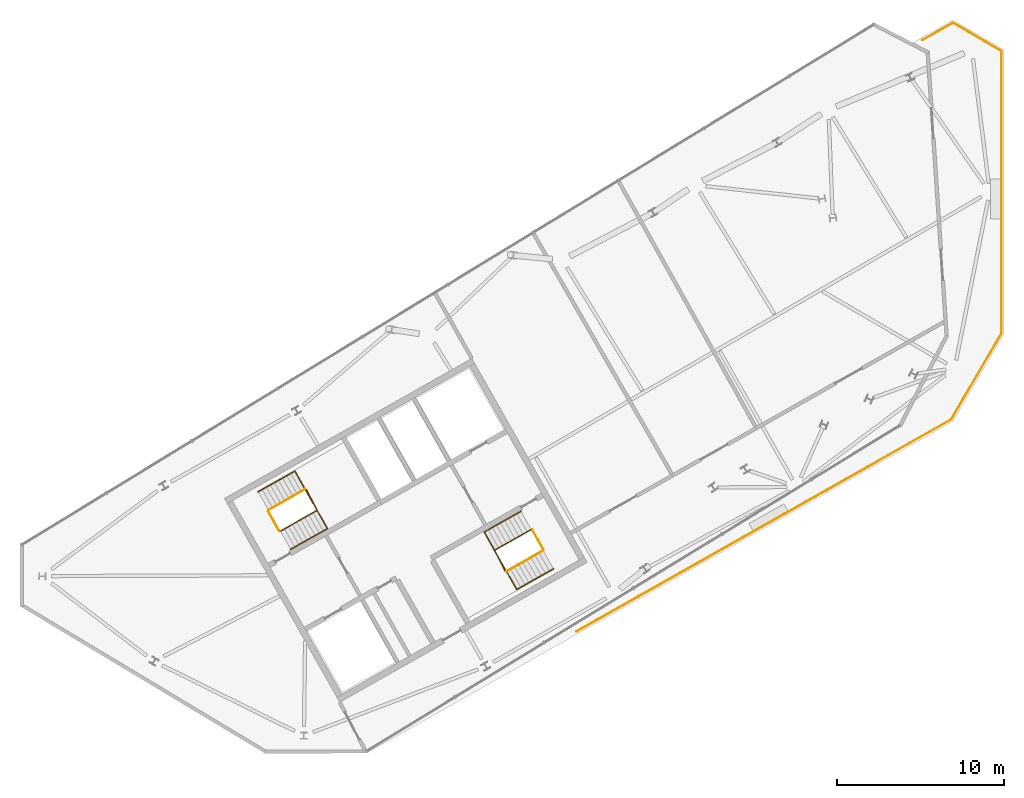
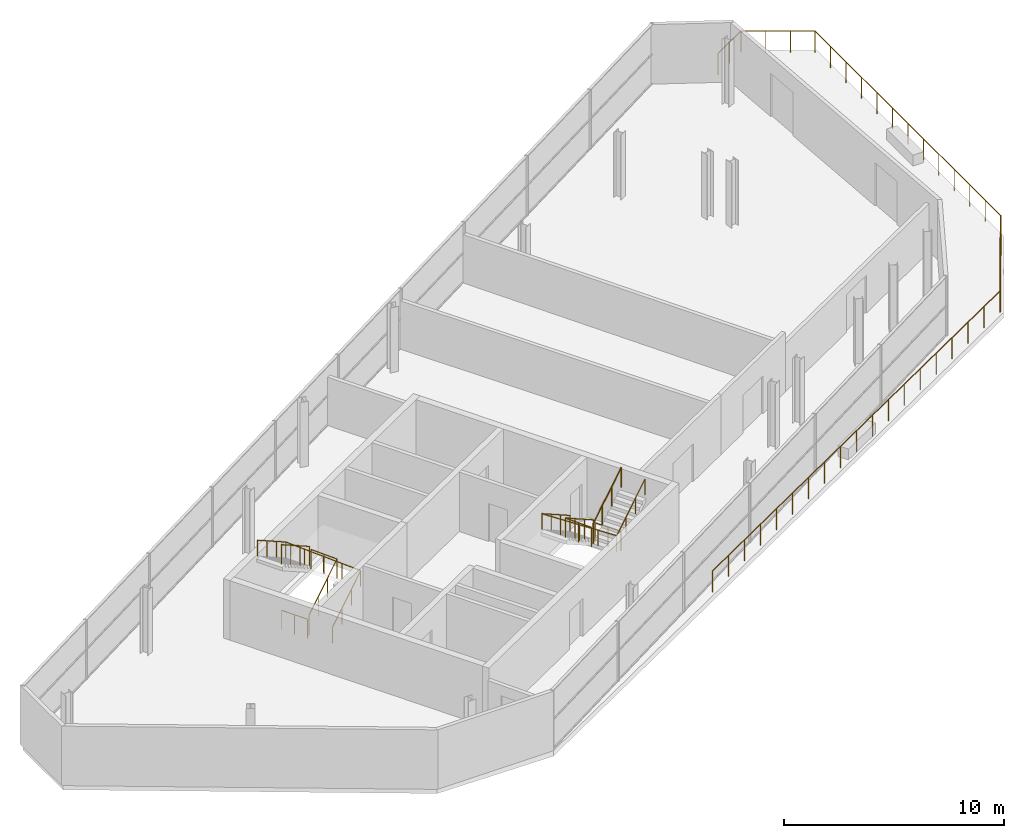
# One storey, part 9 of 10: 12 railings.
"""IFC4 building model written with IfcOpenShell, lengths in metres."""

from ifc_helpers import new_model, si_unit, direction, frame, origin, origin_2d, place, context, subcontext, project, spatial, circle, extrude, material, type_object, element, save


model = new_model("IFC4")

# Units and contexts
model_context = context("Model", 3, precision=1e-05, world=origin(), true_north=direction((0.0, 1.0)))
body_context = subcontext(model_context, "Body", "Model", "MODEL_VIEW")
ifc_project = project(units=[si_unit("LENGTHUNIT", "METRE"), si_unit("AREAUNIT", "SQUARE_METRE"), si_unit("VOLUMEUNIT", "CUBIC_METRE"), si_unit("PLANEANGLEUNIT", "RADIAN"), si_unit("MASSUNIT", "GRAM", prefix="KILO")], contexts=[model_context])

# Site, building, storey
site_placement = place(None, origin())
site = spatial("IfcSite", under=ifc_project, at=site_placement, CompositionType="ELEMENT")
building_placement = place(site_placement, origin())
building = spatial("IfcBuilding", under=site, at=building_placement, Name="Binnacle Exchange Tower", CompositionType="ELEMENT")
storey_placement = place(building_placement, frame((0.0, 0.0, 346.89990234375)))
storey = spatial("IfcBuildingStorey", under=building, at=storey_placement, Name="L79", CompositionType="ELEMENT", Elevation=346.89990234375)

# Railings
ifc_material_1 = material(Name="Bronze anodised aluminium frame", Category="aluminium")
railing_type_1 = type_object("IfcRailingType", Name="GUARD 1200", PredefinedType="GUARDRAIL", material=ifc_material_1)
railing_1_placement = place(storey_placement, frame((-25.549072265625, 33.71728515625, 0.0)))
element("IfcRailing", 1, at=railing_1_placement, inside=storey, type_object=railing_type_1, Name="Terrace guard 1 Terrace C1", PredefinedType="GUARDRAIL", context=body_context, shape_type="SweptSolid", body=[
    extrude(circle(Radius=0.02392578125, at=origin_2d()), frame((0.0, 0.0, 1.17578125), z_axis=(0.870351394534, 0.492431162735, 0.0), x_axis=(-0.492431162735, 0.870351394534, 0.0)), (0.0, 0.0, 1.0), 25.729248046875),
    extrude(circle(Radius=0.02099609375, at=origin_2d()), origin(), (0.0, 0.0, 1.0), 1.15185546875),
    extrude(circle(Radius=0.02099609375, at=origin_2d()), frame((1.244140625, 0.703857421875, 0.0)), (0.0, 0.0, 1.0), 1.15185546875),
    extrude(circle(Radius=0.02099609375, at=origin_2d()), frame((2.48828125, 1.40771484375, 0.0)), (0.0, 0.0, 1.0), 1.15185546875),
    extrude(circle(Radius=0.02099609375, at=origin_2d()), frame((3.732177734375, 2.111572265625, 0.0)), (0.0, 0.0, 1.0), 1.15185546875),
    extrude(circle(Radius=0.02099609375, at=origin_2d()), frame((4.976318359375, 2.8154296875, 0.0)), (0.0, 0.0, 1.0), 1.15185546875),
    extrude(circle(Radius=0.02099609375, at=origin_2d()), frame((6.220458984375, 3.51953125, 0.0)), (0.0, 0.0, 1.0), 1.15185546875),
    extrude(circle(Radius=0.02099609375, at=origin_2d()), frame((7.464599609375, 4.223388671875, 0.0)), (0.0, 0.0, 1.0), 1.15185546875),
    extrude(circle(Radius=0.02099609375, at=origin_2d()), frame((8.70849609375, 4.92724609375, 0.0)), (0.0, 0.0, 1.0), 1.15185546875),
    extrude(circle(Radius=0.02099609375, at=origin_2d()), frame((9.95263671875, 5.631103515625, 0.0)), (0.0, 0.0, 1.0), 1.15185546875),
    extrude(circle(Radius=0.02099609375, at=origin_2d()), frame((11.19677734375, 6.3349609375, 0.0)), (0.0, 0.0, 1.0), 1.15185546875),
    extrude(circle(Radius=0.02099609375, at=origin_2d()), frame((12.44091796875, 7.038818359375, 0.0)), (0.0, 0.0, 1.0), 1.15185546875),
    extrude(circle(Radius=0.02099609375, at=origin_2d()), frame((13.68505859375, 7.74267578125, 0.0)), (0.0, 0.0, 1.0), 1.15185546875),
    extrude(circle(Radius=0.02099609375, at=origin_2d()), frame((14.928955078125, 8.446533203125, 0.0)), (0.0, 0.0, 1.0), 1.15185546875),
    extrude(circle(Radius=0.02099609375, at=origin_2d()), frame((16.173095703125, 9.150390625, 0.0)), (0.0, 0.0, 1.0), 1.15185546875),
    extrude(circle(Radius=0.02099609375, at=origin_2d()), frame((17.417236328125, 9.8544921875, 0.0)), (0.0, 0.0, 1.0), 1.15185546875),
    extrude(circle(Radius=0.02099609375, at=origin_2d()), frame((18.661376953125, 10.558349609375, 0.0)), (0.0, 0.0, 1.0), 1.15185546875),
    extrude(circle(Radius=0.02099609375, at=origin_2d()), frame((19.9052734375, 11.26220703125, 0.0)), (0.0, 0.0, 1.0), 1.15185546875),
    extrude(circle(Radius=0.02099609375, at=origin_2d()), frame((21.1494140625, 11.966064453125, 0.0)), (0.0, 0.0, 1.0), 1.15185546875),
    extrude(circle(Radius=0.02099609375, at=origin_2d()), frame((22.3935546875, 12.669921875, 0.0)), (0.0, 0.0, 1.0), 1.15185546875),
])
railing_2_placement = place(storey_placement, frame((-3.155517578125, 46.38720703125, 0.0)))
element("IfcRailing", 2, at=railing_2_placement, inside=storey, type_object=railing_type_1, Name="Terrace guard 2 Terrace C1", PredefinedType="GUARDRAIL", context=body_context, shape_type="SweptSolid", body=[
    extrude(circle(Radius=0.02392578125, at=origin_2d()), frame((0.0, 0.0, 1.17578125), z_axis=(0.503809956982, 0.863814521321, 0.0), x_axis=(-0.863814521321, 0.503809956982, 0.0)), (0.0, 0.0, 1.0), 5.9658203125),
    extrude(circle(Radius=0.02099609375, at=origin_2d()), origin(), (0.0, 0.0, 1.0), 1.15185546875),
    extrude(circle(Radius=0.02099609375, at=origin_2d()), frame((0.75146484375, 1.288330078125, 0.0)), (0.0, 0.0, 1.0), 1.15185546875),
    extrude(circle(Radius=0.02099609375, at=origin_2d()), frame((1.5029296875, 2.57666015625, 0.0)), (0.0, 0.0, 1.0), 1.15185546875),
    extrude(circle(Radius=0.02099609375, at=origin_2d()), frame((2.254150390625, 3.864990234375, 0.0)), (0.0, 0.0, 1.0), 1.15185546875),
    extrude(circle(Radius=0.02099609375, at=origin_2d()), frame((3.005615234375, 5.1533203125, 0.0)), (0.0, 0.0, 1.0), 1.15185546875),
])
railing_3_placement = place(storey_placement, frame((-0.14990234375, 51.54052734375, 0.0)))
element("IfcRailing", 3, at=railing_3_placement, inside=storey, type_object=railing_type_1, Name="Terrace guard 3 Terrace C1", PredefinedType="GUARDRAIL", context=body_context, shape_type="SweptSolid", body=[
    extrude(circle(Radius=0.02392578125, at=origin_2d()), frame((0.0, 0.0, 1.17578125), z_axis=(0.0, 1.0, 0.0), x_axis=(-1.0, 0.0, 0.0)), (0.0, 0.0, 1.0), 16.873291015625),
    extrude(circle(Radius=0.02099609375, at=origin_2d()), origin(), (0.0, 0.0, 1.0), 1.15185546875),
    extrude(circle(Radius=0.02099609375, at=origin_2d()), frame((0.0, 1.406005859375, 0.0)), (0.0, 0.0, 1.0), 1.15185546875),
    extrude(circle(Radius=0.02099609375, at=origin_2d()), frame((0.0, 2.812255859375, 0.0)), (0.0, 0.0, 1.0), 1.15185546875),
    extrude(circle(Radius=0.02099609375, at=origin_2d()), frame((0.0, 4.21826171875, 0.0)), (0.0, 0.0, 1.0), 1.15185546875),
    extrude(circle(Radius=0.02099609375, at=origin_2d()), frame((0.0, 5.62451171875, 0.0)), (0.0, 0.0, 1.0), 1.15185546875),
    extrude(circle(Radius=0.02099609375, at=origin_2d()), frame((0.0, 7.030517578125, 0.0)), (0.0, 0.0, 1.0), 1.15185546875),
    extrude(circle(Radius=0.02099609375, at=origin_2d()), frame((0.0, 8.4365234375, 0.0)), (0.0, 0.0, 1.0), 1.15185546875),
    extrude(circle(Radius=0.02099609375, at=origin_2d()), frame((0.0, 9.8427734375, 0.0)), (0.0, 0.0, 1.0), 1.15185546875),
    extrude(circle(Radius=0.02099609375, at=origin_2d()), frame((0.0, 11.248779296875, 0.0)), (0.0, 0.0, 1.0), 1.15185546875),
    extrude(circle(Radius=0.02099609375, at=origin_2d()), frame((0.0, 12.655029296875, 0.0)), (0.0, 0.0, 1.0), 1.15185546875),
    extrude(circle(Radius=0.02099609375, at=origin_2d()), frame((0.0, 14.06103515625, 0.0)), (0.0, 0.0, 1.0), 1.15185546875),
    extrude(circle(Radius=0.02099609375, at=origin_2d()), frame((0.0, 15.46728515625, 0.0)), (0.0, 0.0, 1.0), 1.15185546875),
    extrude(circle(Radius=0.02099609375, at=origin_2d()), frame((0.0, 16.873291015625, 0.0)), (0.0, 0.0, 1.0), 1.15185546875),
])
railing_4_placement = place(storey_placement, frame((-0.14990234375, 68.413818359375, 0.0)))
element("IfcRailing", 4, at=railing_4_placement, inside=storey, type_object=railing_type_1, Name="Terrace guard 4 Terrace C1", PredefinedType="GUARDRAIL", context=body_context, shape_type="SweptSolid", body=[
    extrude(circle(Radius=0.02392578125, at=origin_2d()), frame((0.0, 0.0, 1.17578125), z_axis=(-0.863842253152, 0.503762405971, 0.0), x_axis=(-0.503762405971, -0.863842253152, 0.0)), (0.0, 0.0, 1.0), 3.354248046875),
    extrude(circle(Radius=0.02392578125, at=origin_2d()), frame((-2.8974609375, 1.689697265625, 1.17578125), z_axis=(-0.870334872128, -0.492460364251, 0.0), x_axis=(0.492460364251, -0.870334872128, 0.0)), (0.0, 0.0, 1.0), 2.0751953125),
    extrude(circle(Radius=0.02099609375, at=origin_2d()), origin(), (0.0, 0.0, 1.0), 1.15185546875),
    extrude(circle(Radius=0.02099609375, at=origin_2d()), frame((-0.9658203125, 0.563232421875, 0.0)), (0.0, 0.0, 1.0), 1.15185546875),
    extrude(circle(Radius=0.02099609375, at=origin_2d()), frame((-1.931640625, 1.12646484375, 0.0)), (0.0, 0.0, 1.0), 1.15185546875),
    extrude(circle(Radius=0.02099609375, at=origin_2d()), frame((-2.8974609375, 1.689697265625, 0.0)), (0.0, 0.0, 1.0), 1.15185546875),
    extrude(circle(Radius=0.02099609375, at=origin_2d()), frame((-3.800537109375, 1.1787109375, 0.0)), (0.0, 0.0, 1.0), 1.15185546875),
    extrude(circle(Radius=0.02099609375, at=origin_2d()), frame((-4.70361328125, 0.667724609375, 0.0)), (0.0, 0.0, 1.0), 1.15185546875),
])
ifc_material_2 = material(Name="Steel guard rail", Category="steel")
railing_type_2 = type_object("IfcRailingType", Name="STAIR GUARD 1100", PredefinedType="GUARDRAIL", material=ifc_material_2)
railing_5_placement = place(storey_placement, frame((-43.26171875, 39.71728515625, 0.18017578125)))
element("IfcRailing", 5, at=railing_5_placement, inside=storey, type_object=railing_type_2, Name="L79 STA1 stair guard 1", PredefinedType="GUARDRAIL", context=body_context, shape_type="SweptSolid", body=[
    extrude(circle(Radius=0.02392578125, at=origin_2d()), frame((0.0, 0.0, 1.076171875), z_axis=(0.73214499886, 0.414235644391, 0.540714833864), x_axis=(-0.492430705092, 0.870351653461, 0.0)), (0.0, 0.0, 1.0), 2.995849609375),
    extrude(circle(Radius=0.02392578125, at=origin_2d()), frame((2.193359375, 1.240966796875, 2.69580078125), z_axis=(-0.461100321709, 0.887348011391, 0.0), x_axis=(-0.887348011391, -0.461100321709, 0.0)), (0.0, 0.0, 1.0), 1.40087890625),
    extrude(circle(Radius=0.02099609375, at=origin_2d()), origin(), (0.0, 0.0, 1.0), 1.052001953125),
    extrude(circle(Radius=0.02099609375, at=origin_2d()), frame((0.731201171875, 0.41357421875, 0.5400390625)), (0.0, 0.0, 1.0), 1.052001953125),
    extrude(circle(Radius=0.02099609375, at=origin_2d()), frame((1.462158203125, 0.827392578125, 1.079833984375)), (0.0, 0.0, 1.0), 1.052001953125),
    extrude(circle(Radius=0.02099609375, at=origin_2d()), frame((2.193359375, 1.240966796875, 1.619873046875)), (0.0, 0.0, 1.0), 1.052001953125),
    extrude(circle(Radius=0.02099609375, at=origin_2d()), frame((1.870361328125, 1.862548828125, 1.619873046875)), (0.0, 0.0, 1.0), 1.052001953125),
    extrude(circle(Radius=0.02099609375, at=origin_2d()), frame((1.54736328125, 2.484130859375, 1.619873046875)), (0.0, 0.0, 1.0), 1.052001953125),
])
railing_6_placement = place(storey_placement, frame((-41.782470703125, 42.22021484375, 1.97998046875)))
element("IfcRailing", 6, at=railing_6_placement, inside=storey, type_object=railing_type_2, Name="L79 STA1 stair guard 2", PredefinedType="GUARDRAIL", context=body_context, shape_type="SweptSolid", body=[
    extrude(circle(Radius=0.02392578125, at=origin_2d()), frame((0.0, 0.0, 1.076171875), z_axis=(-0.732112736453, -0.41421739085, 0.540772497674), x_axis=(0.492430705092, -0.870351653461, 0.0)), (0.0, 0.0, 1.0), 2.995849609375),
    extrude(circle(Radius=0.02099609375, at=origin_2d()), origin(), (0.0, 0.0, 1.0), 1.052001953125),
    extrude(circle(Radius=0.02099609375, at=origin_2d()), frame((-0.731201171875, -0.41357421875, 0.5400390625)), (0.0, 0.0, 1.0), 1.052001953125),
    extrude(circle(Radius=0.02099609375, at=origin_2d()), frame((-1.462158203125, -0.827392578125, 1.080078125)), (0.0, 0.0, 1.0), 1.052001953125),
    extrude(circle(Radius=0.02099609375, at=origin_2d()), frame((-2.193359375, -1.240966796875, 1.6201171875)), (0.0, 0.0, 1.0), 1.052001953125),
])
railing_7_placement = place(storey_placement, frame((-43.329833984375, 39.736328125, 0.0)))
element("IfcRailing", 7, at=railing_7_placement, inside=storey, type_object=railing_type_2, Name="L79 STA1 stair guard 3", PredefinedType="GUARDRAIL", context=body_context, shape_type="SweptSolid", body=[
    extrude(circle(Radius=0.02392578125, at=origin_2d()), frame((0.0, 0.0, 1.076171875), z_axis=(-0.4924922531, 0.870316827734, 0.0), x_axis=(-0.870316827734, -0.4924922531, 0.0)), (0.0, 0.0, 1.0), 1.349853515625),
    extrude(circle(Radius=0.02099609375, at=origin_2d()), origin(), (0.0, 0.0, 1.0), 1.052001953125),
    extrude(circle(Radius=0.02099609375, at=origin_2d()), frame((-0.33251953125, 0.58740234375, 0.0)), (0.0, 0.0, 1.0), 1.052001953125),
    extrude(circle(Radius=0.02099609375, at=origin_2d()), frame((-0.664794921875, 1.1748046875, 0.0)), (0.0, 0.0, 1.0), 1.052001953125),
])
railing_8_placement = place(storey_placement, frame((-28.265380859375, 39.814453125, 0.18017578125)))
element("IfcRailing", 8, at=railing_8_placement, inside=storey, type_object=railing_type_2, Name="L79 STA2 stair guard 1", PredefinedType="GUARDRAIL", context=body_context, shape_type="SweptSolid", body=[
    extrude(circle(Radius=0.02392578125, at=origin_2d()), frame((0.0, 0.0, 1.076171875), z_axis=(-0.73214499886, -0.414235644391, 0.540714833864), x_axis=(0.492430705092, -0.870351653461, 0.0)), (0.0, 0.0, 1.0), 2.995849609375),
    extrude(circle(Radius=0.02392578125, at=origin_2d()), frame((-2.193359375, -1.240966796875, 2.69580078125), z_axis=(0.461100321709, -0.887348011391, 0.0), x_axis=(0.887348011391, 0.461100321709, 0.0)), (0.0, 0.0, 1.0), 1.40087890625),
    extrude(circle(Radius=0.02099609375, at=origin_2d()), origin(), (0.0, 0.0, 1.0), 1.052001953125),
    extrude(circle(Radius=0.02099609375, at=origin_2d()), frame((-0.731201171875, -0.41357421875, 0.5400390625)), (0.0, 0.0, 1.0), 1.052001953125),
    extrude(circle(Radius=0.02099609375, at=origin_2d()), frame((-1.462158203125, -0.827392578125, 1.079833984375)), (0.0, 0.0, 1.0), 1.052001953125),
    extrude(circle(Radius=0.02099609375, at=origin_2d()), frame((-2.193359375, -1.240966796875, 1.619873046875)), (0.0, 0.0, 1.0), 1.052001953125),
    extrude(circle(Radius=0.02099609375, at=origin_2d()), frame((-1.870361328125, -1.862548828125, 1.619873046875)), (0.0, 0.0, 1.0), 1.052001953125),
    extrude(circle(Radius=0.02099609375, at=origin_2d()), frame((-1.54736328125, -2.484130859375, 1.619873046875)), (0.0, 0.0, 1.0), 1.052001953125),
])
railing_9_placement = place(storey_placement, frame((-29.74462890625, 37.3115234375, 1.97998046875)))
element("IfcRailing", 9, at=railing_9_placement, inside=storey, type_object=railing_type_2, Name="L79 STA2 stair guard 2", PredefinedType="GUARDRAIL", context=body_context, shape_type="SweptSolid", body=[
    extrude(circle(Radius=0.02392578125, at=origin_2d()), frame((0.0, 0.0, 1.076171875), z_axis=(0.732074920478, 0.414242104062, 0.540804761471), x_axis=(-0.492472228755, 0.870328158746, 0.0)), (0.0, 0.0, 1.0), 2.995849609375),
    extrude(circle(Radius=0.02099609375, at=origin_2d()), origin(), (0.0, 0.0, 1.0), 1.052001953125),
    extrude(circle(Radius=0.02099609375, at=origin_2d()), frame((0.73095703125, 0.41357421875, 0.5400390625)), (0.0, 0.0, 1.0), 1.052001953125),
    extrude(circle(Radius=0.02099609375, at=origin_2d()), frame((1.462158203125, 0.827392578125, 1.080078125)), (0.0, 0.0, 1.0), 1.052001953125),
    extrude(circle(Radius=0.02099609375, at=origin_2d()), frame((2.193115234375, 1.240966796875, 1.6201171875)), (0.0, 0.0, 1.0), 1.052001953125),
])
railing_10_placement = place(storey_placement, frame((-28.197265625, 39.795654296875, 0.0)))
element("IfcRailing", 10, at=railing_10_placement, inside=storey, type_object=railing_type_2, Name="L79 STA2 stair guard 3", PredefinedType="GUARDRAIL", context=body_context, shape_type="SweptSolid", body=[
    extrude(circle(Radius=0.02392578125, at=origin_2d()), frame((0.0, 0.0, 1.076171875), z_axis=(0.49241474071, -0.870360685654, 0.0), x_axis=(0.870360685654, 0.49241474071, 0.0)), (0.0, 0.0, 1.0), 1.35009765625),
    extrude(circle(Radius=0.02099609375, at=origin_2d()), origin(), (0.0, 0.0, 1.0), 1.052001953125),
    extrude(circle(Radius=0.02099609375, at=origin_2d()), frame((0.33251953125, -0.58740234375, 0.0)), (0.0, 0.0, 1.0), 1.052001953125),
    extrude(circle(Radius=0.02099609375, at=origin_2d()), frame((0.664794921875, -1.175048828125, 0.0)), (0.0, 0.0, 1.0), 1.052001953125),
])
ifc_material_3 = material(Name="Steel handrail", Category="steel")
railing_type_3 = type_object("IfcRailingType", Name="STAIR HANDRAIL 900", PredefinedType="HANDRAIL", material=ifc_material_3)
railing_11_placement = place(storey_placement, frame((-42.646240234375, 38.62939453125, 0.18017578125)))
element("IfcRailing", 11, at=railing_11_placement, inside=storey, type_object=railing_type_3, Name="L79 STA1 stair handrail 1", PredefinedType="HANDRAIL", context=body_context, shape_type="SweptSolid", body=[
    extrude(circle(Radius=0.02392578125, at=origin_2d()), frame((0.0, 0.0, 0.8759765625), z_axis=(0.73214499886, 0.414235644391, 0.540714833864), x_axis=(-0.492430705092, 0.870351653461, 0.0)), (0.0, 0.0, 1.0), 2.995849609375),
    extrude(circle(Radius=0.02392578125, at=origin_2d()), frame((2.193359375, 1.240966796875, 2.49560546875), z_axis=(-0.491929959296, 0.869444678906, 0.045506762897), x_axis=(-0.87034633103, -0.492440112159, 0.0)), (0.0, 0.0, 1.0), 3.953857421875),
    extrude(circle(Radius=0.02392578125, at=origin_2d()), frame((0.248291015625, 4.6787109375, 2.67578125), z_axis=(-0.73213744765, -0.414149878557, 0.540790750513), x_axis=(0.492357313618, -0.87039317307, 0.0)), (0.0, 0.0, 1.0), 2.995849609375),
    extrude(circle(Radius=0.02099609375, at=origin_2d()), origin(), (0.0, 0.0, 1.0), 0.851806640625),
    extrude(circle(Radius=0.02099609375, at=origin_2d()), frame((0.731201171875, 0.41357421875, 0.5400390625)), (0.0, 0.0, 1.0), 0.851806640625),
    extrude(circle(Radius=0.02099609375, at=origin_2d()), frame((1.462158203125, 0.827392578125, 1.079833984375)), (0.0, 0.0, 1.0), 0.851806640625),
    extrude(circle(Radius=0.02099609375, at=origin_2d()), frame((2.193359375, 1.240966796875, 1.619873046875)), (0.0, 0.0, 1.0), 0.851806640625),
    extrude(circle(Radius=0.02099609375, at=origin_2d()), frame((1.70703125, 2.100341796875, 1.664794921875)), (0.0, 0.0, 1.0), 0.851806640625),
    extrude(circle(Radius=0.02099609375, at=origin_2d()), frame((1.220703125, 2.9599609375, 1.7099609375)), (0.0, 0.0, 1.0), 0.851806640625),
    extrude(circle(Radius=0.02099609375, at=origin_2d()), frame((0.734619140625, 3.8193359375, 1.7548828125)), (0.0, 0.0, 1.0), 0.851806640625),
    extrude(circle(Radius=0.02099609375, at=origin_2d()), frame((0.248291015625, 4.6787109375, 1.7998046875)), (0.0, 0.0, 1.0), 0.851806640625),
    extrude(circle(Radius=0.02099609375, at=origin_2d()), frame((-0.48291015625, 4.26513671875, 2.33984375)), (0.0, 0.0, 1.0), 0.851806640625),
    extrude(circle(Radius=0.02099609375, at=origin_2d()), frame((-1.2138671875, 3.8515625, 2.8798828125)), (0.0, 0.0, 1.0), 0.851806640625),
    extrude(circle(Radius=0.02099609375, at=origin_2d()), frame((-1.945068359375, 3.43798828125, 3.419921875)), (0.0, 0.0, 1.0), 0.851806640625),
])
railing_12_placement = place(storey_placement, frame((-28.880859375, 40.90234375, 0.18017578125)))
element("IfcRailing", 12, at=railing_12_placement, inside=storey, type_object=railing_type_3, Name="L79 STA2 stair handrail 1", PredefinedType="HANDRAIL", context=body_context, shape_type="SweptSolid", body=[
    extrude(circle(Radius=0.02392578125, at=origin_2d()), frame((0.0, 0.0, 0.8759765625), z_axis=(-0.732169713324, -0.414168130355, 0.540733086365), x_axis=(0.492357313618, -0.87039317307, 0.0)), (0.0, 0.0, 1.0), 2.99560546875),
    extrude(circle(Radius=0.02392578125, at=origin_2d()), frame((-2.193359375, -1.24072265625, 2.49560546875), z_axis=(0.49190355138, -0.869459747776, 0.045504319991), x_axis=(0.870361318571, 0.492413622004, 0.0)), (0.0, 0.0, 1.0), 3.9541015625),
    extrude(circle(Radius=0.02392578125, at=origin_2d()), frame((-0.248291015625, -4.6787109375, 2.67578125), z_axis=(0.732112736453, 0.41421739085, 0.540772497674), x_axis=(-0.492430705092, 0.870351653461, 0.0)), (0.0, 0.0, 1.0), 2.995849609375),
    extrude(circle(Radius=0.02099609375, at=origin_2d()), origin(), (0.0, 0.0, 1.0), 0.851806640625),
    extrude(circle(Radius=0.02099609375, at=origin_2d()), frame((-0.731201171875, -0.41357421875, 0.5400390625)), (0.0, 0.0, 1.0), 0.851806640625),
    extrude(circle(Radius=0.02099609375, at=origin_2d()), frame((-1.462158203125, -0.8271484375, 1.079833984375)), (0.0, 0.0, 1.0), 0.851806640625),
    extrude(circle(Radius=0.02099609375, at=origin_2d()), frame((-2.193359375, -1.24072265625, 1.619873046875)), (0.0, 0.0, 1.0), 0.851806640625),
    extrude(circle(Radius=0.02099609375, at=origin_2d()), frame((-1.70703125, -2.10009765625, 1.664794921875)), (0.0, 0.0, 1.0), 0.851806640625),
    extrude(circle(Radius=0.02099609375, at=origin_2d()), frame((-1.220703125, -2.959716796875, 1.7099609375)), (0.0, 0.0, 1.0), 0.851806640625),
    extrude(circle(Radius=0.02099609375, at=origin_2d()), frame((-0.734619140625, -3.8193359375, 1.7548828125)), (0.0, 0.0, 1.0), 0.851806640625),
    extrude(circle(Radius=0.02099609375, at=origin_2d()), frame((-0.248291015625, -4.6787109375, 1.7998046875)), (0.0, 0.0, 1.0), 0.851806640625),
    extrude(circle(Radius=0.02099609375, at=origin_2d()), frame((0.48291015625, -4.26513671875, 2.33984375)), (0.0, 0.0, 1.0), 0.851806640625),
    extrude(circle(Radius=0.02099609375, at=origin_2d()), frame((1.2138671875, -3.851318359375, 2.8798828125)), (0.0, 0.0, 1.0), 0.851806640625),
    extrude(circle(Radius=0.02099609375, at=origin_2d()), frame((1.945068359375, -3.437744140625, 3.419921875)), (0.0, 0.0, 1.0), 0.851806640625),
])

save(model, "model.ifc")
